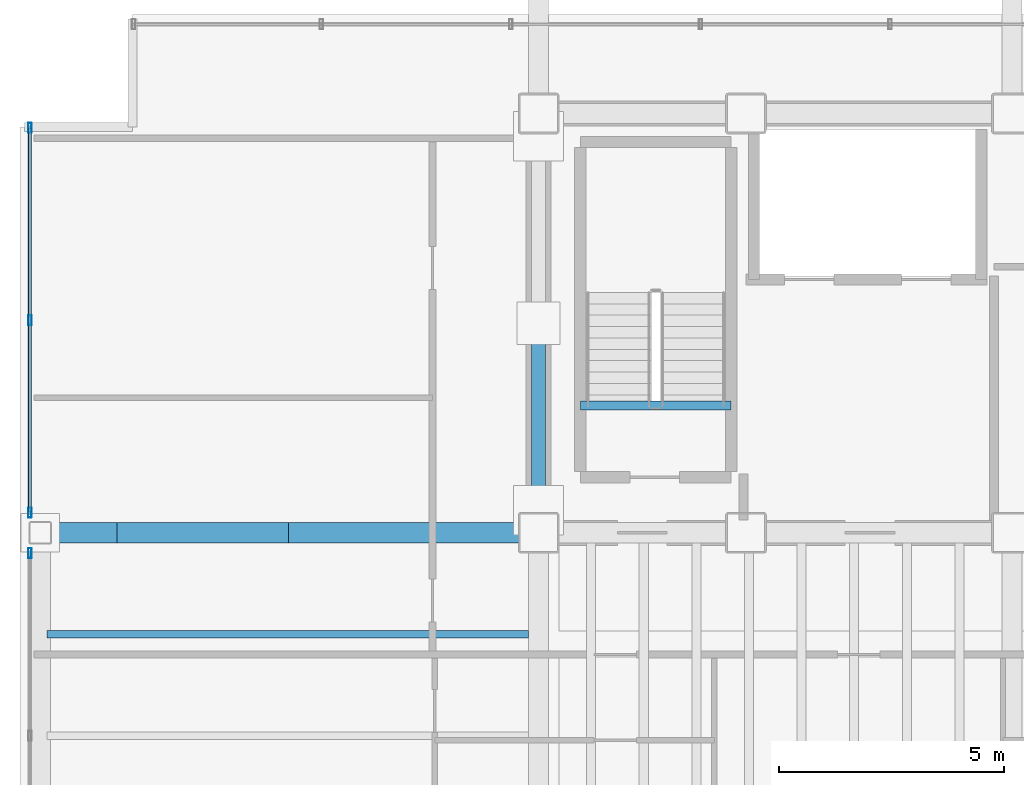
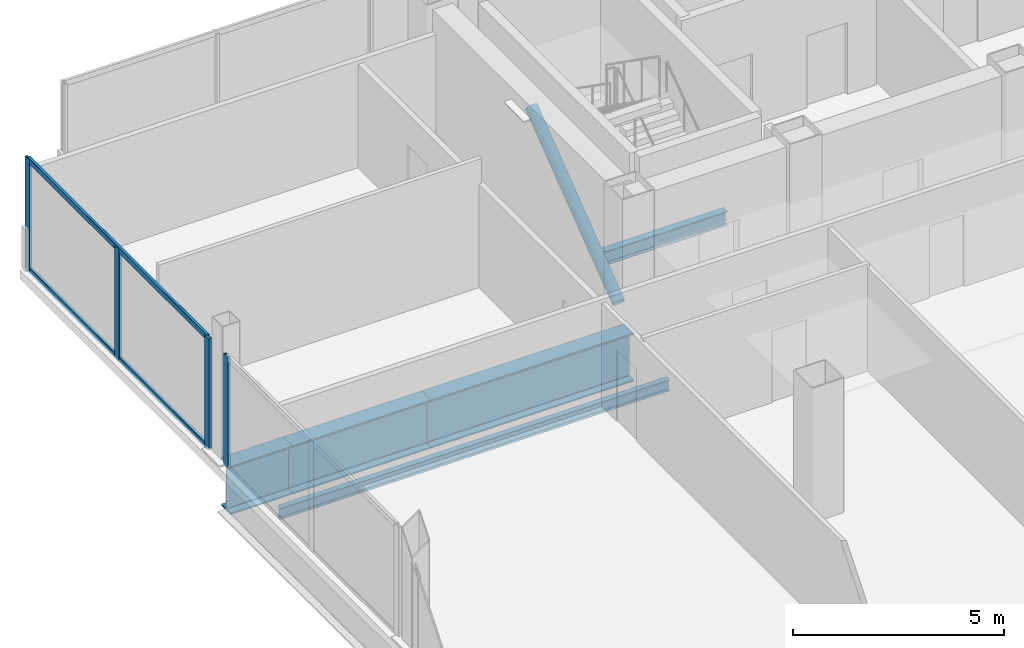
# One storey, part 8 of 24: 7 members, 5 beams, 2 elements without a shape of their own.
"""IFC4 building model written with IfcOpenShell, lengths in metres."""

from ifc_helpers import new_model, si_unit, direction, frame, origin, origin_2d, place, context, subcontext, project, spatial, hollow_rectangle, hollow_circle, i_section, extrude, material, material_profile, profile_set, type_object, element, aggregate, save


model = new_model("IFC4")

# Units and contexts
model_context = context("Model", 3, precision=1e-05, world=origin(), true_north=direction((0.0, 1.0)))
body_context = subcontext(model_context, "Body", "Model", "MODEL_VIEW")
ifc_project = project(units=[si_unit("LENGTHUNIT", "METRE"), si_unit("AREAUNIT", "SQUARE_METRE"), si_unit("VOLUMEUNIT", "CUBIC_METRE"), si_unit("PLANEANGLEUNIT", "RADIAN"), si_unit("MASSUNIT", "GRAM", prefix="KILO")], contexts=[model_context])

# Site, building, storey
site_placement = place(None, origin())
site = spatial("IfcSite", under=ifc_project, at=site_placement, CompositionType="ELEMENT")
building_placement = place(site_placement, origin())
building = spatial("IfcBuilding", under=site, at=building_placement, Name="Noeulbin Bourse Tower", CompositionType="ELEMENT")
storey_placement = place(building_placement, frame((0.0, 0.0, 114.89990234375)))
storey = spatial("IfcBuildingStorey", under=building, at=storey_placement, Name="L28", CompositionType="ELEMENT", Elevation=114.89990234375)

# Beams
ifc_material_1 = material(Name="Steel S355", Category="steel")
ifc_material_profile_1 = material_profile(ifc_material_1, i_section(OverallWidth=0.159912109375, OverallDepth=0.320068359375, WebThickness=0.006591796875, FlangeThickness=0.010009765625, FilletRadius=0.012939453125, at=origin_2d()), Name="H-320x160x6.5x10", Category="LoadBearing")
ifc_profile_set_1 = profile_set([ifc_material_profile_1], Name="Steel S355")
beam_type_1 = type_object("IfcBeamType", Name="BM-JST-320", PredefinedType="JOIST", material=ifc_profile_set_1)
beam_1_placement = place(storey_placement, frame((2.60009765625, 26.75, -0.39990234375), z_axis=(1.0, 0.0, 0.0), x_axis=(0.0, 1.0, 0.0)))
element("IfcBeam", 1, at=beam_1_placement, inside=storey, type_object=beam_type_1, Name="Wing Composite Joist L28-W49", PredefinedType="JOIST", context=body_context, shape_type="SweptSolid", body=[
    extrude(i_section(OverallWidth=0.159912109375, OverallDepth=0.320068359375, WebThickness=0.006591796875, FlangeThickness=0.010009765625, FilletRadius=0.012939453125, at=origin_2d()), origin(), (0.0, 0.0, 1.0), 10.6748046875),
])
ifc_material_profile_2 = material_profile(ifc_material_1, i_section(OverallWidth=0.199951171875, OverallDepth=0.39990234375, WebThickness=0.008056640625, FlangeThickness=0.012939453125, FilletRadius=0.01611328125, at=origin_2d()), Name="H-400x200x8x13", Category="LoadBearing")
ifc_profile_set_2 = profile_set([ifc_material_profile_2], Name="Steel S355")
beam_type_2 = type_object("IfcBeamType", Name="BM-SEC-400", PredefinedType="BEAM", material=ifc_profile_set_2)
beam_2_placement = place(storey_placement, frame((14.429931640625, 31.820068359375, -0.199951171875), z_axis=(1.0, 0.0, 0.0), x_axis=(0.0, 1.0, 0.0)))
element("IfcBeam", 2, at=beam_2_placement, inside=storey, type_object=beam_type_2, Name="Stair Threshold Trimmer Beam ST1-L28", PredefinedType="BEAM", context=body_context, shape_type="SweptSolid", body=[
    extrude(i_section(OverallWidth=0.199951171875, OverallDepth=0.39990234375, WebThickness=0.008056640625, FlangeThickness=0.012939453125, FilletRadius=0.01611328125, at=origin_2d()), origin(), (0.0, 0.0, 1.0), 3.340087890625),
])
ifc_material_2 = material(Name="Steel S460", Category="steel")
ifc_material_profile_3 = material_profile(ifc_material_2, i_section(OverallWidth=0.449951171875, OverallDepth=1.39990234375, WebThickness=0.02392578125, FlangeThickness=0.0400390625, FilletRadius=0.02392578125, at=origin_2d()), Name="PG-1400x450x24x40", Category="LoadBearing")
ifc_profile_set_3 = profile_set([ifc_material_profile_3], Name="Steel S460")
beam_type_3 = type_object("IfcBeamType", Name="BM-TRF-1400", PredefinedType="USERDEFINED", material=ifc_profile_set_3)
beam_3_placement = place(storey_placement, frame((2.449951171875, 29.0, -0.93994140625), z_axis=(1.0, 0.0, 0.0), x_axis=(0.0, 1.0, 0.0)))
element("IfcBeam", 3, at=beam_3_placement, inside=storey, type_object=beam_type_3, Name="Tower Primary Girder EW L28-2.1", ObjectType="GIRDER", PredefinedType="USERDEFINED", context=body_context, shape_type="SweptSolid", body=[
    extrude(i_section(OverallWidth=0.449951171875, OverallDepth=1.39990234375, WebThickness=0.02392578125, FlangeThickness=0.0400390625, FilletRadius=0.02392578125, at=origin_2d()), origin(), (0.0, 0.0, 1.0), 1.699951171875),
])
beam_4_placement = place(storey_placement, frame((4.14990234375, 29.0, -0.93994140625), z_axis=(1.0, 0.0, 0.0), x_axis=(0.0, 1.0, 0.0)))
element("IfcBeam", 4, at=beam_4_placement, inside=storey, type_object=beam_type_3, Name="Tower Primary Girder EW L28-2.2", ObjectType="GIRDER", PredefinedType="USERDEFINED", context=body_context, shape_type="SweptSolid", body=[
    extrude(i_section(OverallWidth=0.449951171875, OverallDepth=1.39990234375, WebThickness=0.02392578125, FlangeThickness=0.0400390625, FilletRadius=0.02392578125, at=origin_2d()), origin(), (0.0, 0.0, 1.0), 3.800048828125),
])
beam_5_placement = place(storey_placement, frame((7.949951171875, 29.0, -0.93994140625), z_axis=(1.0, 0.0, 0.0), x_axis=(0.0, 1.0, 0.0)))
element("IfcBeam", 5, at=beam_5_placement, inside=storey, type_object=beam_type_3, Name="Tower Primary Girder EW L28-2.3", ObjectType="GIRDER", PredefinedType="USERDEFINED", context=body_context, shape_type="SweptSolid", body=[
    extrude(i_section(OverallWidth=0.449951171875, OverallDepth=1.39990234375, WebThickness=0.02392578125, FlangeThickness=0.0400390625, FilletRadius=0.02392578125, at=origin_2d()), origin(), (0.0, 0.0, 1.0), 5.550048828125),
])

# Curtain wall, member
ifc_material_3 = material(Name="Dark Tinted Triple Glazing", Category="glass")
curtain_wall_type = type_object("IfcCurtainWallType", Name="CW-SYS-3", PredefinedType="NOTDEFINED", material=ifc_material_3)
curtain_wall_1_placement = place(storey_placement, origin())
curtain_wall_1 = element("IfcCurtainWall", 6, at=curtain_wall_1_placement, inside=storey, type_object=curtain_wall_type, Name="Unitised Curtain Wall CW-L28-W-S2", PredefinedType="NOTDEFINED")
ifc_material_4 = material(Name="Anodised Aluminium 6063-T6", Category="aluminium")
ifc_material_profile_4 = material_profile(ifc_material_4, hollow_rectangle(XDim=0.074951171875, YDim=0.219970703125, WallThickness=0.0048828125, InnerFilletRadius=0.00244140625, OuterFilletRadius=0.0048828125, at=origin_2d()), Name="ALU-MULL-75x220x5", Category="LoadBearing")
ifc_profile_set_4 = profile_set([ifc_material_profile_4], Name="Anodised Aluminium 6063-T6")
member_type_1 = type_object("IfcMemberType", Name="CW-SYS-3-MUL", PredefinedType="MULLION", material=ifc_profile_set_4)
member_1_placement = place(storey_placement, frame((2.219970703125, 28.550048828125, -0.02001953125), z_axis=(0.0, 0.0, 1.0), x_axis=(1.0, 0.0, 0.0)))
member_1 = element("IfcMember", 7, at=member_1_placement, type_object=member_type_1, Name="Curtain Wall Mullion CW-L28-W-S2-M02", PredefinedType="MULLION", context=body_context, shape_type="SweptSolid", body=[
    extrude(hollow_rectangle(XDim=0.074951171875, YDim=0.219970703125, WallThickness=0.0048828125, InnerFilletRadius=0.00244140625, OuterFilletRadius=0.0048828125, at=origin_2d()), origin(), (0.0, 0.0, 1.0), 3.22021484375),
])
aggregate(curtain_wall_1, [member_1])

# Curtain wall, members
curtain_wall_2_placement = place(storey_placement, origin())
curtain_wall_2 = element("IfcCurtainWall", 8, at=curtain_wall_2_placement, inside=storey, type_object=curtain_wall_type, Name="Unitised Curtain Wall CW-L28-W-S3", PredefinedType="NOTDEFINED")
member_2_placement = place(storey_placement, frame((2.219970703125, 29.449951171875, -0.02001953125), z_axis=(0.0, 0.0, 1.0), x_axis=(1.0, 0.0, 0.0)))
member_2 = element("IfcMember", 9, at=member_2_placement, type_object=member_type_1, Name="Curtain Wall Mullion CW-L28-W-S3-M00", PredefinedType="MULLION", context=body_context, shape_type="SweptSolid", body=[
    extrude(hollow_rectangle(XDim=0.074951171875, YDim=0.219970703125, WallThickness=0.0048828125, InnerFilletRadius=0.00244140625, OuterFilletRadius=0.0048828125, at=origin_2d()), origin(), (0.0, 0.0, 1.0), 3.22021484375),
])
member_3_placement = place(storey_placement, frame((2.219970703125, 33.715087890625, -0.02001953125), z_axis=(0.0, 0.0, 1.0), x_axis=(1.0, 0.0, 0.0)))
member_3 = element("IfcMember", 10, at=member_3_placement, type_object=member_type_1, Name="Curtain Wall Mullion CW-L28-W-S3-M01", PredefinedType="MULLION", context=body_context, shape_type="SweptSolid", body=[
    extrude(hollow_rectangle(XDim=0.074951171875, YDim=0.219970703125, WallThickness=0.0048828125, InnerFilletRadius=0.00244140625, OuterFilletRadius=0.0048828125, at=origin_2d()), origin(), (0.0, 0.0, 1.0), 3.22021484375),
])
member_4_placement = place(storey_placement, frame((2.219970703125, 37.97998046875, -0.02001953125), z_axis=(0.0, 0.0, 1.0), x_axis=(1.0, 0.0, 0.0)))
member_4 = element("IfcMember", 11, at=member_4_placement, type_object=member_type_1, Name="Curtain Wall Mullion CW-L28-W-S3-M02", PredefinedType="MULLION", context=body_context, shape_type="SweptSolid", body=[
    extrude(hollow_rectangle(XDim=0.074951171875, YDim=0.219970703125, WallThickness=0.0048828125, InnerFilletRadius=0.00244140625, OuterFilletRadius=0.0048828125, at=origin_2d()), origin(), (0.0, 0.0, 1.0), 3.22021484375),
])
ifc_material_profile_5 = material_profile(ifc_material_4, hollow_rectangle(XDim=0.074951171875, YDim=0.159912109375, WallThickness=0.0048828125, InnerFilletRadius=0.00244140625, OuterFilletRadius=0.0048828125, at=origin_2d()), Name="ALU-TRAN-75x160x5", Category="LoadBearing")
ifc_profile_set_5 = profile_set([ifc_material_profile_5], Name="Anodised Aluminium 6063-T6")
member_type_2 = type_object("IfcMemberType", Name="CW-SYS-3-TRN", PredefinedType="USERDEFINED", material=ifc_profile_set_5)
member_5_placement = place(storey_placement, frame((2.219970703125, 29.4599609375, 0.010009765625), z_axis=(0.0, 1.0, 0.0), x_axis=(-1.0, 0.0, 0.0)))
member_5 = element("IfcMember", 12, at=member_5_placement, type_object=member_type_2, Name="Curtain Wall Transom CW-L28-W-S3-T00", ObjectType="TRANSOM", PredefinedType="USERDEFINED", context=body_context, shape_type="SweptSolid", body=[
    extrude(hollow_rectangle(XDim=0.074951171875, YDim=0.159912109375, WallThickness=0.0048828125, InnerFilletRadius=0.00244140625, OuterFilletRadius=0.0048828125, at=origin_2d()), origin(), (0.0, 0.0, 1.0), 8.510009765625),
])
member_6_placement = place(storey_placement, frame((2.219970703125, 29.4599609375, 3.170166015625), z_axis=(0.0, 1.0, 0.0), x_axis=(-1.0, 0.0, 0.0)))
member_6 = element("IfcMember", 13, at=member_6_placement, type_object=member_type_2, Name="Curtain Wall Transom CW-L28-W-S3-T01", ObjectType="TRANSOM", PredefinedType="USERDEFINED", context=body_context, shape_type="SweptSolid", body=[
    extrude(hollow_rectangle(XDim=0.074951171875, YDim=0.159912109375, WallThickness=0.0048828125, InnerFilletRadius=0.00244140625, OuterFilletRadius=0.0048828125, at=origin_2d()), origin(), (0.0, 0.0, 1.0), 8.510009765625),
])
aggregate(curtain_wall_2, [member_2, member_3, member_4, member_5, member_6])

# Member
ifc_material_profile_6 = material_profile(ifc_material_1, hollow_circle(Radius=0.1591796875, WallThickness=0.01025390625, at=origin_2d()), Name="CHS-318.5x10.3", Category="LoadBearing")
ifc_profile_set_6 = profile_set([ifc_material_profile_6], Name="Steel S355")
member_type_3 = type_object("IfcMemberType", Name="MEM-EXO-318", PredefinedType="BRACE", material=ifc_profile_set_6)
member_7_placement = place(storey_placement, frame((13.5, 29.5, 0.2001953125), z_axis=(0.0, 0.794684163041, 0.607023130541), x_axis=(-1.0, 0.0, 0.0)))
element("IfcMember", 14, at=member_7_placement, inside=storey, type_object=member_type_3, Name="Core Flank Chevron Brace XT-L28-W1", PredefinedType="BRACE", context=body_context, shape_type="SweptSolid", body=[
    extrude(hollow_circle(Radius=0.1591796875, WallThickness=0.01025390625, at=origin_2d()), origin(), (0.0, 0.0, 1.0), 5.22216796875),
])

save(model, "model.ifc")
